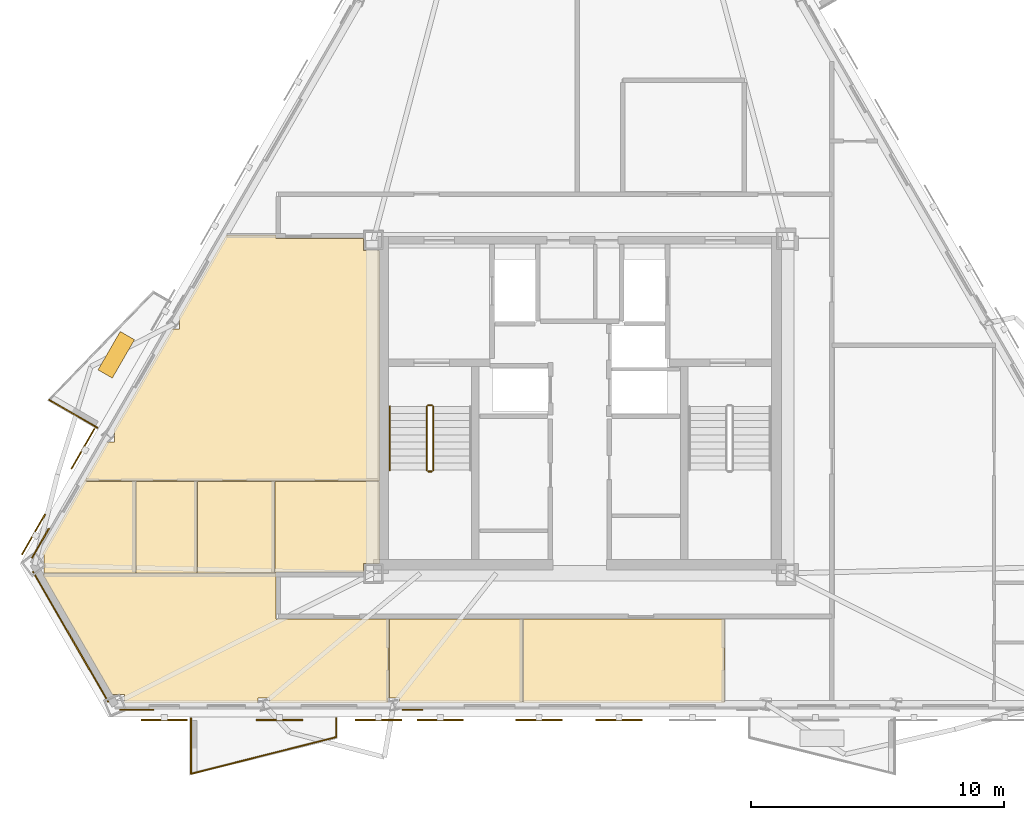
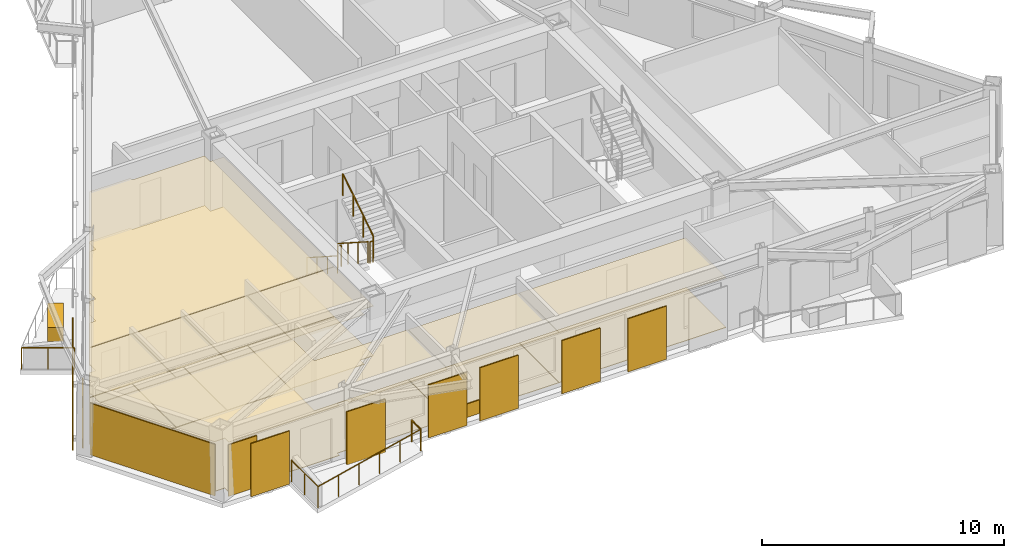
# One storey, part 7 of 9: 21 coverings, 9 railings, 8 shading devices.
"""IFC4 building model written with IfcOpenShell, lengths in metres."""

from ifc_helpers import new_model, si_unit, direction, frame, origin, origin_2d, place, context, subcontext, project, spatial, polyline, rectangle, circle, outline, extrude, material, layer, layer_set, type_object, element, save


model = new_model("IFC4")

# Units and contexts
model_context = context("Model", 3, precision=1e-05, world=origin(), true_north=direction((0.0, 1.0)))
body_context = subcontext(model_context, "Body", "Model", "MODEL_VIEW")
ifc_project = project(units=[si_unit("LENGTHUNIT", "METRE"), si_unit("AREAUNIT", "SQUARE_METRE"), si_unit("VOLUMEUNIT", "CUBIC_METRE"), si_unit("PLANEANGLEUNIT", "RADIAN"), si_unit("MASSUNIT", "GRAM", prefix="KILO")], contexts=[model_context])

# Site, building, storey
site_placement = place(None, origin())
site = spatial("IfcSite", under=ifc_project, at=site_placement, CompositionType="ELEMENT")
building_placement = place(site_placement, origin())
building = spatial("IfcBuilding", under=site, at=building_placement, Name="Oramaril Tower", CompositionType="ELEMENT")
storey_placement = place(building_placement, frame((0.0, 0.0, 223.5)))
storey = spatial("IfcBuildingStorey", under=building, at=storey_placement, Name="L59", CompositionType="ELEMENT", Elevation=223.5)

# Coverings
ifc_material_1 = material(Name="Mineral Fibre Acoustic Ceiling")
ifc_layer_1 = layer(ifc_material_1, 0.02001953125)
ifc_layer_set_1 = layer_set([ifc_layer_1], Name="CVT-CEIL")
covering_type_1 = type_object("IfcCoveringType", Name="CVT-CEIL", PredefinedType="CEILING", material=ifc_layer_set_1)
covering_1_placement = place(storey_placement, frame((0.0, 0.0, 2.511962890625)))
element("IfcCovering", 1, at=covering_1_placement, inside=storey, type_object=covering_type_1, Name="L59 Acoustic Suspended Ceiling 5", PredefinedType="CEILING", context=body_context, shape_type="SweptSolid", body=[
    extrude(outline(polyline([(29.963134765625, 6.06884765625), (29.93212890625, 6.06884765625), (29.93212890625, 5.89208984375), (25.24560546875, 5.89208984375), (25.24560546875, 6.06884765625), (24.788330078125, 6.06884765625), (24.788330078125, 5.89208984375), (19.52587890625, 5.89208984375), (19.52587890625, 6.21923828125), (19.029296875, 6.21923828125), (16.300537109375, 10.945556640625), (16.343017578125, 10.945556640625), (16.343017578125, 10.991943359375), (25.5, 10.991943359375), (25.5, 9.219970703125), (25.5, 9.218017578125), (25.50048828125, 9.216064453125), (25.5009765625, 9.214111328125), (25.50146484375, 9.21240234375), (25.50244140625, 9.210693359375), (25.50341796875, 9.208984375), (25.50439453125, 9.207275390625), (25.505859375, 9.205810546875), (25.50732421875, 9.20458984375), (25.5087890625, 9.203369140625), (25.510498046875, 9.202392578125), (25.51220703125, 9.201416015625), (25.51416015625, 9.200927734375), (25.51611328125, 9.200439453125), (25.51806640625, 9.2001953125), (25.52001953125, 9.199951171875), (29.963134765625, 9.199951171875), (29.963134765625, 6.06884765625)])), origin(), (0.0, 0.0, 1.0), 0.02001953125),
])
covering_2_placement = place(storey_placement, frame((0.0, 0.0, 2.511962890625)))
element("IfcCovering", 2, at=covering_2_placement, inside=storey, type_object=covering_type_1, Name="L59 Acoustic Suspended Ceiling 6", PredefinedType="CEILING", context=body_context, shape_type="SweptSolid", body=[
    extrude(outline(polyline([(30.3818359375, 5.89208984375), (30.3818359375, 6.06884765625), (29.983154296875, 6.06884765625), (29.983154296875, 9.199951171875), (35.241943359375, 9.199951171875), (35.241943359375, 5.89208984375), (30.3818359375, 5.89208984375)])), origin(), (0.0, 0.0, 1.0), 0.02001953125),
])
covering_3_placement = place(storey_placement, frame((0.0, 0.0, 2.511962890625)))
element("IfcCovering", 3, at=covering_3_placement, inside=storey, type_object=covering_type_1, Name="L59 Acoustic Suspended Ceiling 7", PredefinedType="CEILING", context=body_context, shape_type="SweptSolid", body=[
    extrude(outline(polyline([(35.261962890625, 5.89208984375), (35.261962890625, 9.199951171875), (43.20458984375, 9.199951171875), (43.20458984375, 5.89208984375), (35.261962890625, 5.89208984375)])), origin(), (0.0, 0.0, 1.0), 0.02001953125),
])
covering_4_placement = place(storey_placement, frame((0.0, 0.0, 2.511962890625)))
element("IfcCovering", 4, at=covering_4_placement, inside=storey, type_object=covering_type_1, Name="L59 Acoustic Suspended Ceiling 9", PredefinedType="CEILING", context=body_context, shape_type="SweptSolid", body=[
    extrude(outline(polyline([(28.955078125, 23.7548828125), (29.60009765625, 23.7548828125), (29.60009765625, 14.651611328125), (17.948486328125, 14.651611328125), (18.8349609375, 16.187255859375), (19.1318359375, 16.187255859375), (19.1318359375, 16.6748046875), (19.116455078125, 16.6748046875), (21.406982421875, 20.64208984375), (21.703857421875, 20.64208984375), (21.703857421875, 21.122802734375), (21.6845703125, 21.122802734375), (23.5546875, 24.362060546875), (25.5, 24.362060546875), (25.5, 24.239990234375), (25.5, 24.238037109375), (25.50048828125, 24.236083984375), (25.5009765625, 24.234130859375), (25.50146484375, 24.232421875), (25.50244140625, 24.230712890625), (25.50341796875, 24.22900390625), (25.50439453125, 24.227294921875), (25.505859375, 24.225830078125), (25.50732421875, 24.224609375), (25.5087890625, 24.223388671875), (25.510498046875, 24.222412109375), (25.51220703125, 24.221435546875), (25.51416015625, 24.220947265625), (25.51611328125, 24.220458984375), (25.51806640625, 24.22021484375), (25.52001953125, 24.219970703125), (28.955078125, 24.219970703125), (28.955078125, 23.7548828125)])), origin(), (0.0, 0.0, 1.0), 0.02001953125),
])
covering_5_placement = place(storey_placement, frame((0.0, 0.0, 2.511962890625)))
element("IfcCovering", 5, at=covering_5_placement, inside=storey, type_object=covering_type_1, Name="L59 Acoustic Suspended Ceiling 10", PredefinedType="CEILING", context=body_context, shape_type="SweptSolid", body=[
    extrude(outline(polyline([(16.343017578125, 11.74169921875), (16.268310546875, 11.74169921875), (17.9384765625, 14.63427734375), (17.93896484375, 14.634033203125), (17.940673828125, 14.63330078125), (17.9423828125, 14.632568359375), (17.944580078125, 14.632080078125), (17.9462890625, 14.631591796875), (17.948486328125, 14.631591796875), (19.953125, 14.631591796875), (19.953125, 11.011962890625), (16.343017578125, 11.011962890625), (16.343017578125, 11.74169921875)])), origin(), (0.0, 0.0, 1.0), 0.02001953125),
])
covering_6_placement = place(storey_placement, frame((0.0, 0.0, 2.511962890625)))
element("IfcCovering", 6, at=covering_6_placement, inside=storey, type_object=covering_type_1, Name="L59 Acoustic Suspended Ceiling 11", PredefinedType="CEILING", context=body_context, shape_type="SweptSolid", body=[
    extrude(outline(polyline([(22.384521484375, 11.011962890625), (19.97314453125, 11.011962890625), (19.97314453125, 14.631591796875), (22.384521484375, 14.631591796875), (22.384521484375, 11.011962890625)])), origin(), (0.0, 0.0, 1.0), 0.02001953125),
])
covering_7_placement = place(storey_placement, frame((0.0, 0.0, 2.511962890625)))
element("IfcCovering", 7, at=covering_7_placement, inside=storey, type_object=covering_type_1, Name="L59 Acoustic Suspended Ceiling 12", PredefinedType="CEILING", context=body_context, shape_type="SweptSolid", body=[
    extrude(outline(polyline([(25.43701171875, 11.011962890625), (22.404541015625, 11.011962890625), (22.404541015625, 14.631591796875), (25.43701171875, 14.631591796875), (25.43701171875, 11.011962890625)])), origin(), (0.0, 0.0, 1.0), 0.02001953125),
])
covering_8_placement = place(storey_placement, frame((0.0, 0.0, 2.511962890625)))
element("IfcCovering", 8, at=covering_8_placement, inside=storey, type_object=covering_type_1, Name="L59 Acoustic Suspended Ceiling 13", PredefinedType="CEILING", context=body_context, shape_type="SweptSolid", body=[
    extrude(outline(polyline([(29.60009765625, 11.39501953125), (28.955078125, 11.39501953125), (28.955078125, 11.050048828125), (25.52001953125, 11.050048828125), (25.51806640625, 11.0498046875), (25.51611328125, 11.049560546875), (25.51416015625, 11.049072265625), (25.51220703125, 11.048583984375), (25.510498046875, 11.047607421875), (25.5087890625, 11.046630859375), (25.50732421875, 11.04541015625), (25.505859375, 11.044189453125), (25.50439453125, 11.042724609375), (25.50341796875, 11.041015625), (25.50244140625, 11.039306640625), (25.50146484375, 11.03759765625), (25.5009765625, 11.035888671875), (25.50048828125, 11.033935546875), (25.5, 11.031982421875), (25.5, 11.030029296875), (25.5, 11.011962890625), (25.456787109375, 11.011962890625), (25.456787109375, 14.631591796875), (29.60009765625, 14.631591796875), (29.60009765625, 11.39501953125)])), origin(), (0.0, 0.0, 1.0), 0.02001953125),
])
ifc_material_2 = material(Name="Warm Cream Limestone", Category="masonry")
ifc_layer_2 = layer(ifc_material_2, 0.050048828125)
ifc_layer_set_2 = layer_set([ifc_layer_2], Name="CVT-CLD")
covering_type_2 = type_object("IfcCoveringType", Name="CVT-CLD", PredefinedType="CLADDING", material=ifc_layer_set_2)
covering_9_placement = place(storey_placement, frame((17.3974609375, 8.493896484375, 0.0400390625), z_axis=(0.0, 0.0, 1.0), x_axis=(0.5, -0.866025403784, 0.0)))
element("IfcCovering", 9, at=covering_9_placement, inside=storey, type_object=covering_type_2, Name="L59 Warm Cream Limestone Cladding", PredefinedType="CLADDING", context=body_context, shape_type="SweptSolid", body=[
    extrude(rectangle(XDim=5.951904296875, YDim=0.050048828125, at=origin_2d()), origin(), (0.0, 0.0, 1.0), 2.596923828125),
])
covering_10_placement = place(storey_placement, frame((20.006103515625, 5.615966796875, 0.0400390625), z_axis=(0.0, 0.0, 1.0), x_axis=(1.0, 0.0, 0.0)))
element("IfcCovering", 10, at=covering_10_placement, inside=storey, type_object=covering_type_2, Name="L59 Warm Cream Limestone Cladding", PredefinedType="CLADDING", context=body_context, shape_type="SweptSolid", body=[
    extrude(rectangle(XDim=1.35009765625, YDim=0.050048828125, at=origin_2d()), origin(), (0.0, 0.0, 1.0), 2.596923828125),
])
covering_11_placement = place(storey_placement, frame((30.896240234375, 5.615966796875, 0.0400390625), z_axis=(0.0, 0.0, 1.0), x_axis=(1.0, 0.0, 0.0)))
element("IfcCovering", 11, at=covering_11_placement, inside=storey, type_object=covering_type_2, Name="L59 Warm Cream Limestone Spandrel Cladding", PredefinedType="CLADDING", context=body_context, shape_type="SweptSolid", body=[
    extrude(rectangle(XDim=0.800048828125, YDim=0.050048828125, at=origin_2d()), origin(), (0.0, 0.0, 1.0), 0.679931640625),
])
covering_12_placement = place(storey_placement, frame((16.20947265625, 12.191650390625, 0.0400390625), z_axis=(0.0, 0.0, 1.0), x_axis=(-0.5, -0.866025403784, 0.0)))
element("IfcCovering", 12, at=covering_12_placement, inside=storey, type_object=covering_type_2, Name="L59 Warm Cream Limestone Cladding", PredefinedType="CLADDING", context=body_context, shape_type="SweptSolid", body=[
    extrude(rectangle(XDim=1.35009765625, YDim=0.050048828125, at=origin_2d()), origin(), (0.0, 0.0, 1.0), 2.596923828125),
])
covering_13_placement = place(storey_placement, frame((19.19921875, 19.62744140625, 0.0), z_axis=(0.0, 0.0, 1.0), x_axis=(-0.5, -0.866025403784, 0.0)))
element("IfcCovering", 13, at=covering_13_placement, inside=storey, type_object=covering_type_2, Name="L59 Structural Tree Planter Box L59-BAL-NW2", PredefinedType="CLADDING", context=body_context, shape_type="SweptSolid", body=[
    extrude(rectangle(XDim=1.75, YDim=0.64990234375, at=origin_2d()), origin(), (0.0, 0.0, 1.0), 0.699951171875),
])
ifc_material_3 = material(Name="Honed Quartzite Stone Flooring", Category="masonry")
ifc_layer_3 = layer(ifc_material_3, 0.02490234375)
ifc_layer_set_3 = layer_set([ifc_layer_3], Name="CVT-FLR")
covering_type_3 = type_object("IfcCoveringType", Name="CVT-FLR", PredefinedType="FLOORING", material=ifc_layer_set_3)
covering_14_placement = place(storey_placement, origin())
element("IfcCovering", 14, at=covering_14_placement, inside=storey, type_object=covering_type_3, Name="L59 Honed Stone Floor Finish 5", PredefinedType="FLOORING", context=body_context, shape_type="SweptSolid", body=[
    extrude(outline(polyline([(29.963134765625, 6.06884765625), (29.93212890625, 6.06884765625), (29.93212890625, 5.89208984375), (25.24560546875, 5.89208984375), (25.24560546875, 6.06884765625), (24.788330078125, 6.06884765625), (24.788330078125, 5.89208984375), (19.52587890625, 5.89208984375), (19.52587890625, 6.21923828125), (19.029296875, 6.21923828125), (16.300537109375, 10.945556640625), (16.343017578125, 10.945556640625), (16.343017578125, 10.991943359375), (25.5, 10.991943359375), (25.5, 9.219970703125), (25.5, 9.218017578125), (25.50048828125, 9.216064453125), (25.5009765625, 9.214111328125), (25.50146484375, 9.21240234375), (25.50244140625, 9.210693359375), (25.50341796875, 9.208984375), (25.50439453125, 9.207275390625), (25.505859375, 9.205810546875), (25.50732421875, 9.20458984375), (25.5087890625, 9.203369140625), (25.510498046875, 9.202392578125), (25.51220703125, 9.201416015625), (25.51416015625, 9.200927734375), (25.51611328125, 9.200439453125), (25.51806640625, 9.2001953125), (25.52001953125, 9.199951171875), (29.963134765625, 9.199951171875), (29.963134765625, 6.06884765625)])), origin(), (0.0, 0.0, 1.0), 0.02490234375),
])
covering_15_placement = place(storey_placement, origin())
element("IfcCovering", 15, at=covering_15_placement, inside=storey, type_object=covering_type_3, Name="L59 Honed Stone Floor Finish 6", PredefinedType="FLOORING", context=body_context, shape_type="SweptSolid", body=[
    extrude(outline(polyline([(30.3818359375, 5.89208984375), (30.3818359375, 6.06884765625), (29.983154296875, 6.06884765625), (29.983154296875, 9.199951171875), (35.241943359375, 9.199951171875), (35.241943359375, 5.89208984375), (30.3818359375, 5.89208984375)])), origin(), (0.0, 0.0, 1.0), 0.02490234375),
])
covering_16_placement = place(storey_placement, origin())
element("IfcCovering", 16, at=covering_16_placement, inside=storey, type_object=covering_type_3, Name="L59 Honed Stone Floor Finish 7", PredefinedType="FLOORING", context=body_context, shape_type="SweptSolid", body=[
    extrude(outline(polyline([(35.261962890625, 5.89208984375), (35.261962890625, 9.199951171875), (43.20458984375, 9.199951171875), (43.20458984375, 5.89208984375), (35.261962890625, 5.89208984375)])), origin(), (0.0, 0.0, 1.0), 0.02490234375),
])
covering_17_placement = place(storey_placement, origin())
element("IfcCovering", 17, at=covering_17_placement, inside=storey, type_object=covering_type_3, Name="L59 Honed Stone Floor Finish 9", PredefinedType="FLOORING", context=body_context, shape_type="SweptSolid", body=[
    extrude(outline(polyline([(28.955078125, 23.7548828125), (29.60009765625, 23.7548828125), (29.60009765625, 14.651611328125), (17.948486328125, 14.651611328125), (18.8349609375, 16.187255859375), (19.1318359375, 16.187255859375), (19.1318359375, 16.6748046875), (19.116455078125, 16.6748046875), (21.406982421875, 20.64208984375), (21.703857421875, 20.64208984375), (21.703857421875, 21.122802734375), (21.6845703125, 21.122802734375), (23.5546875, 24.362060546875), (25.5, 24.362060546875), (25.5, 24.239990234375), (25.5, 24.238037109375), (25.50048828125, 24.236083984375), (25.5009765625, 24.234130859375), (25.50146484375, 24.232421875), (25.50244140625, 24.230712890625), (25.50341796875, 24.22900390625), (25.50439453125, 24.227294921875), (25.505859375, 24.225830078125), (25.50732421875, 24.224609375), (25.5087890625, 24.223388671875), (25.510498046875, 24.222412109375), (25.51220703125, 24.221435546875), (25.51416015625, 24.220947265625), (25.51611328125, 24.220458984375), (25.51806640625, 24.22021484375), (25.52001953125, 24.219970703125), (28.955078125, 24.219970703125), (28.955078125, 23.7548828125)])), origin(), (0.0, 0.0, 1.0), 0.02490234375),
])
covering_18_placement = place(storey_placement, origin())
element("IfcCovering", 18, at=covering_18_placement, inside=storey, type_object=covering_type_3, Name="L59 Honed Stone Floor Finish 10", PredefinedType="FLOORING", context=body_context, shape_type="SweptSolid", body=[
    extrude(outline(polyline([(16.343017578125, 11.74169921875), (16.268310546875, 11.74169921875), (17.9384765625, 14.63427734375), (17.93896484375, 14.634033203125), (17.940673828125, 14.63330078125), (17.9423828125, 14.632568359375), (17.944580078125, 14.632080078125), (17.9462890625, 14.631591796875), (17.948486328125, 14.631591796875), (19.953125, 14.631591796875), (19.953125, 11.011962890625), (16.343017578125, 11.011962890625), (16.343017578125, 11.74169921875)])), origin(), (0.0, 0.0, 1.0), 0.02490234375),
])
covering_19_placement = place(storey_placement, origin())
element("IfcCovering", 19, at=covering_19_placement, inside=storey, type_object=covering_type_3, Name="L59 Honed Stone Floor Finish 11", PredefinedType="FLOORING", context=body_context, shape_type="SweptSolid", body=[
    extrude(outline(polyline([(22.384521484375, 11.011962890625), (19.97314453125, 11.011962890625), (19.97314453125, 14.631591796875), (22.384521484375, 14.631591796875), (22.384521484375, 11.011962890625)])), origin(), (0.0, 0.0, 1.0), 0.02490234375),
])
covering_20_placement = place(storey_placement, origin())
element("IfcCovering", 20, at=covering_20_placement, inside=storey, type_object=covering_type_3, Name="L59 Honed Stone Floor Finish 12", PredefinedType="FLOORING", context=body_context, shape_type="SweptSolid", body=[
    extrude(outline(polyline([(25.43701171875, 11.011962890625), (22.404541015625, 11.011962890625), (22.404541015625, 14.631591796875), (25.43701171875, 14.631591796875), (25.43701171875, 11.011962890625)])), origin(), (0.0, 0.0, 1.0), 0.02490234375),
])
covering_21_placement = place(storey_placement, origin())
element("IfcCovering", 21, at=covering_21_placement, inside=storey, type_object=covering_type_3, Name="L59 Honed Stone Floor Finish 13", PredefinedType="FLOORING", context=body_context, shape_type="SweptSolid", body=[
    extrude(outline(polyline([(29.60009765625, 11.39501953125), (28.955078125, 11.39501953125), (28.955078125, 11.050048828125), (25.52001953125, 11.050048828125), (25.51806640625, 11.0498046875), (25.51611328125, 11.049560546875), (25.51416015625, 11.049072265625), (25.51220703125, 11.048583984375), (25.510498046875, 11.047607421875), (25.5087890625, 11.046630859375), (25.50732421875, 11.04541015625), (25.505859375, 11.044189453125), (25.50439453125, 11.042724609375), (25.50341796875, 11.041015625), (25.50244140625, 11.039306640625), (25.50146484375, 11.03759765625), (25.5009765625, 11.035888671875), (25.50048828125, 11.033935546875), (25.5, 11.031982421875), (25.5, 11.030029296875), (25.5, 11.011962890625), (25.456787109375, 11.011962890625), (25.456787109375, 14.631591796875), (29.60009765625, 14.631591796875), (29.60009765625, 11.39501953125)])), origin(), (0.0, 0.0, 1.0), 0.02490234375),
])

# Railings
ifc_material_4 = material(Name="Stainless Steel 316L", Category="steel")
railing_type_1 = type_object("IfcRailingType", Name="RLT-GRD", PredefinedType="GUARDRAIL", material=ifc_material_4)
railing_1_placement = place(storey_placement, frame((27.88037109375, 5.27587890625, 0.0)))
element("IfcRailing", 22, at=railing_1_placement, inside=storey, type_object=railing_type_1, Name="L59 Balcony Guardrail L59-BAL-S1.1", PredefinedType="GUARDRAIL", context=body_context, shape_type="SweptSolid", body=[
    extrude(circle(Radius=0.02392578125, at=origin_2d()), frame((0.0, 0.0, 1.076171875), z_axis=(0.0, -1.0, 0.0), x_axis=(1.0, 0.0, 0.0)), (0.0, 0.0, 1.0), 0.741943359375),
    extrude(circle(Radius=0.02099609375, at=origin_2d()), origin(), (0.0, 0.0, 1.0), 1.052001953125),
    extrude(circle(Radius=0.02099609375, at=origin_2d()), frame((0.0, -0.741943359375, 0.0)), (0.0, 0.0, 1.0), 1.052001953125),
])
railing_2_placement = place(storey_placement, frame((27.88037109375, 4.533935546875, 0.0)))
element("IfcRailing", 23, at=railing_2_placement, inside=storey, type_object=railing_type_1, Name="L59 Balcony Guardrail L59-BAL-S1.2", PredefinedType="GUARDRAIL", context=body_context, shape_type="SweptSolid", body=[
    extrude(circle(Radius=0.02392578125, at=origin_2d()), frame((0.0, 0.0, 1.076171875), z_axis=(-0.969443611257, -0.245314256807, 0.0), x_axis=(0.245314256807, -0.969443611257, 0.0)), (0.0, 0.0, 1.0), 5.91064453125),
    extrude(circle(Radius=0.02099609375, at=origin_2d()), origin(), (0.0, 0.0, 1.0), 1.052001953125),
    extrude(circle(Radius=0.02099609375, at=origin_2d()), frame((-1.14599609375, -0.2900390625, 0.0)), (0.0, 0.0, 1.0), 1.052001953125),
    extrude(circle(Radius=0.02099609375, at=origin_2d()), frame((-2.2919921875, -0.580078125, 0.0)), (0.0, 0.0, 1.0), 1.052001953125),
    extrude(circle(Radius=0.02099609375, at=origin_2d()), frame((-3.43798828125, -0.869873046875, 0.0)), (0.0, 0.0, 1.0), 1.052001953125),
    extrude(circle(Radius=0.02099609375, at=origin_2d()), frame((-4.583984375, -1.159912109375, 0.0)), (0.0, 0.0, 1.0), 1.052001953125),
    extrude(circle(Radius=0.02099609375, at=origin_2d()), frame((-5.72998046875, -1.449951171875, 0.0)), (0.0, 0.0, 1.0), 1.052001953125),
])
railing_3_placement = place(storey_placement, frame((22.150390625, 3.083984375, 0.0)))
element("IfcRailing", 24, at=railing_3_placement, inside=storey, type_object=railing_type_1, Name="L59 Balcony Guardrail L59-BAL-S1.3", PredefinedType="GUARDRAIL", context=body_context, shape_type="SweptSolid", body=[
    extrude(circle(Radius=0.02392578125, at=origin_2d()), frame((0.0, 0.0, 1.076171875), z_axis=(0.0, 1.0, 0.0), x_axis=(-1.0, 0.0, 0.0)), (0.0, 0.0, 1.0), 2.19189453125),
    extrude(circle(Radius=0.02099609375, at=origin_2d()), origin(), (0.0, 0.0, 1.0), 1.052001953125),
    extrude(circle(Radius=0.02099609375, at=origin_2d()), frame((0.0, 1.095947265625, 0.0)), (0.0, 0.0, 1.0), 1.052001953125),
    extrude(circle(Radius=0.02099609375, at=origin_2d()), frame((0.0, 2.19189453125, 0.0)), (0.0, 0.0, 1.0), 1.052001953125),
])
railing_4_placement = place(storey_placement, frame((18.44970703125, 16.751953125, 0.0)))
element("IfcRailing", 25, at=railing_4_placement, inside=storey, type_object=railing_type_1, Name="L59 Balcony Guardrail L59-BAL-NW2.1", PredefinedType="GUARDRAIL", context=body_context, shape_type="SweptSolid", body=[
    extrude(circle(Radius=0.02392578125, at=origin_2d()), frame((0.0, 0.0, 1.076171875), z_axis=(-0.866020500697, 0.5000084923, 0.0), x_axis=(-0.5000084923, -0.866020500697, 0.0)), (0.0, 0.0, 1.0), 2.19189453125),
    extrude(circle(Radius=0.02099609375, at=origin_2d()), origin(), (0.0, 0.0, 1.0), 1.052001953125),
    extrude(circle(Radius=0.02099609375, at=origin_2d()), frame((-0.94921875, 0.5478515625, 0.0)), (0.0, 0.0, 1.0), 1.052001953125),
    extrude(circle(Radius=0.02099609375, at=origin_2d()), frame((-1.898193359375, 1.095947265625, 0.0)), (0.0, 0.0, 1.0), 1.052001953125),
])
railing_5_placement = place(storey_placement, frame((31.4599609375, 17.590087890625, 0.179931640625)))
element("IfcRailing", 26, at=railing_5_placement, inside=storey, type_object=railing_type_1, Name="L59 ST-1 stair guard 1", PredefinedType="GUARDRAIL", context=body_context, shape_type="SweptSolid", body=[
    extrude(circle(Radius=0.02392578125, at=origin_2d()), frame((0.0, 0.0, 1.076171875), z_axis=(0.0, -0.841162588446, 0.540782303519), x_axis=(1.0, 0.0, 0.0)), (0.0, 0.0, 1.0), 2.995849609375),
    extrude(circle(Radius=0.02099609375, at=origin_2d()), origin(), (0.0, 0.0, 1.0), 1.052001953125),
    extrude(circle(Radius=0.02099609375, at=origin_2d()), frame((0.0, -0.840087890625, 0.5400390625)), (0.0, 0.0, 1.0), 1.052001953125),
    extrude(circle(Radius=0.02099609375, at=origin_2d()), frame((0.0, -1.679931640625, 1.080078125)), (0.0, 0.0, 1.0), 1.052001953125),
    extrude(circle(Radius=0.02099609375, at=origin_2d()), frame((0.0, -2.52001953125, 1.6201171875)), (0.0, 0.0, 1.0), 1.052001953125),
])
railing_6_placement = place(storey_placement, frame((31.510009765625, 15.02001953125, 1.800048828125)))
element("IfcRailing", 27, at=railing_6_placement, inside=storey, type_object=railing_type_1, Name="L59 ST-1 stair guard 2", PredefinedType="GUARDRAIL", context=body_context, shape_type="SweptSolid", body=[
    extrude(circle(Radius=0.02392578125, at=origin_2d()), frame((0.0, 0.0, 1.076171875), z_axis=(1.0, 0.0, 0.0), x_axis=(0.0, 1.0, 0.0)), (0.0, 0.0, 1.0), 0.14990234375),
    extrude(circle(Radius=0.02099609375, at=origin_2d()), origin(), (0.0, 0.0, 1.0), 1.052001953125),
    extrude(circle(Radius=0.02099609375, at=origin_2d()), frame((0.14990234375, 0.0, 0.0)), (0.0, 0.0, 1.0), 1.052001953125),
])
railing_7_placement = place(storey_placement, frame((31.7099609375, 15.070068359375, 1.97998046875)))
element("IfcRailing", 28, at=railing_7_placement, inside=storey, type_object=railing_type_1, Name="L59 ST-1 stair guard 3", PredefinedType="GUARDRAIL", context=body_context, shape_type="SweptSolid", body=[
    extrude(circle(Radius=0.02392578125, at=origin_2d()), frame((0.0, 0.0, 1.076171875), z_axis=(0.0, 0.841162588446, 0.540782303519), x_axis=(-1.0, 0.0, 0.0)), (0.0, 0.0, 1.0), 2.995849609375),
    extrude(circle(Radius=0.02099609375, at=origin_2d()), origin(), (0.0, 0.0, 1.0), 1.052001953125),
    extrude(circle(Radius=0.02099609375, at=origin_2d()), frame((0.0, 0.840087890625, 0.5400390625)), (0.0, 0.0, 1.0), 1.052001953125),
    extrude(circle(Radius=0.02099609375, at=origin_2d()), frame((0.0, 1.679931640625, 1.080078125)), (0.0, 0.0, 1.0), 1.052001953125),
    extrude(circle(Radius=0.02099609375, at=origin_2d()), frame((0.0, 2.52001953125, 1.6201171875)), (0.0, 0.0, 1.0), 1.052001953125),
])
railing_8_placement = place(storey_placement, frame((31.510009765625, 17.639892578125, 0.0)))
element("IfcRailing", 29, at=railing_8_placement, inside=storey, type_object=railing_type_1, Name="L59 ST-1 stair guard 4", PredefinedType="GUARDRAIL", context=body_context, shape_type="SweptSolid", body=[
    extrude(circle(Radius=0.02392578125, at=origin_2d()), frame((0.0, 0.0, 1.076171875), z_axis=(1.0, 0.0, 0.0), x_axis=(0.0, 1.0, 0.0)), (0.0, 0.0, 1.0), 0.14990234375),
    extrude(circle(Radius=0.02099609375, at=origin_2d()), origin(), (0.0, 0.0, 1.0), 1.052001953125),
    extrude(circle(Radius=0.02099609375, at=origin_2d()), frame((0.14990234375, 0.0, 0.0)), (0.0, 0.0, 1.0), 1.052001953125),
])
ifc_material_5 = material(Name="Stainless Steel 316L", Category="steel")
railing_type_2 = type_object("IfcRailingType", Name="RLT-HND", PredefinedType="HANDRAIL", material=ifc_material_5)
railing_9_placement = place(storey_placement, frame((30.0, 17.590087890625, 0.179931640625)))
element("IfcRailing", 30, at=railing_9_placement, inside=storey, type_object=railing_type_2, Name="L59 ST-1 stair handrail 1", PredefinedType="HANDRAIL", context=body_context, shape_type="SweptSolid", body=[
    extrude(circle(Radius=0.02392578125, at=origin_2d()), frame((0.0, 0.0, 0.8759765625), z_axis=(0.0, -0.841162588446, 0.540782303519), x_axis=(1.0, 0.0, 0.0)), (0.0, 0.0, 1.0), 2.995849609375),
    extrude(circle(Radius=0.02099609375, at=origin_2d()), origin(), (0.0, 0.0, 1.0), 0.851806640625),
    extrude(circle(Radius=0.02099609375, at=origin_2d()), frame((0.0, -0.840087890625, 0.5400390625)), (0.0, 0.0, 1.0), 0.851806640625),
    extrude(circle(Radius=0.02099609375, at=origin_2d()), frame((0.0, -1.679931640625, 1.080078125)), (0.0, 0.0, 1.0), 0.851806640625),
    extrude(circle(Radius=0.02099609375, at=origin_2d()), frame((0.0, -2.52001953125, 1.6201171875)), (0.0, 0.0, 1.0), 0.851806640625),
])

# Shading devices
for number, where, z_axis, x_axis, name in (
    (31, (21.0927734375, 5.2041015625, -0.02001953125), (0.0, 0.0, 1.0), (1.0, 0.0, 0.0), "L59 Perforated Ceramic Solar Screen"),
    (32, (25.64794921875, 5.2041015625, -0.02001953125), (0.0, 0.0, 1.0), (1.0, 0.0, 0.0), "L59 Perforated Ceramic Solar Screen"),
    (33, (29.548095703125, 5.2041015625, -0.02001953125), (0.0, 0.0, 1.0), (1.0, 0.0, 0.0), "L59 Perforated Ceramic Solar Screen"),
    (34, (31.98974609375, 5.2041015625, -0.02001953125), (0.0, 0.0, 1.0), (1.0, 0.0, 0.0), "L59 Perforated Ceramic Solar Screen"),
    (35, (35.8896484375, 5.2041015625, -0.02001953125), (0.0, 0.0, 1.0), (1.0, 0.0, 0.0), "L59 Perforated Ceramic Solar Screen"),
    (36, (39.0478515625, 5.2041015625, -0.02001953125), (0.0, 0.0, 1.0), (1.0, 0.0, 0.0), "L59 Perforated Ceramic Solar Screen"),
    (37, (17.884765625, 15.917236328125, -0.02001953125), (0.0, 0.0, 1.0), (-0.5, -0.866025403784, 0.0), "L59 Perforated Ceramic Solar Screen"),
    (38, (15.934814453125, 12.539794921875, -0.02001953125), (0.0, 0.0, 1.0), (-0.5, -0.866025403784, 0.0), "L59 Perforated Ceramic Solar Screen"),
):
    element("IfcShadingDevice", number, at=place(storey_placement, frame(where, z_axis=z_axis, x_axis=x_axis)), inside=storey, Name=name, ObjectType="SCREEN", PredefinedType="USERDEFINED", context=body_context, shape_type="SweptSolid", body=[
        extrude(rectangle(XDim=1.8330078125, YDim=0.050048828125, at=origin_2d()), origin(), (0.0, 0.0, 1.0), 2.677001953125),
    ])

save(model, "model.ifc")
